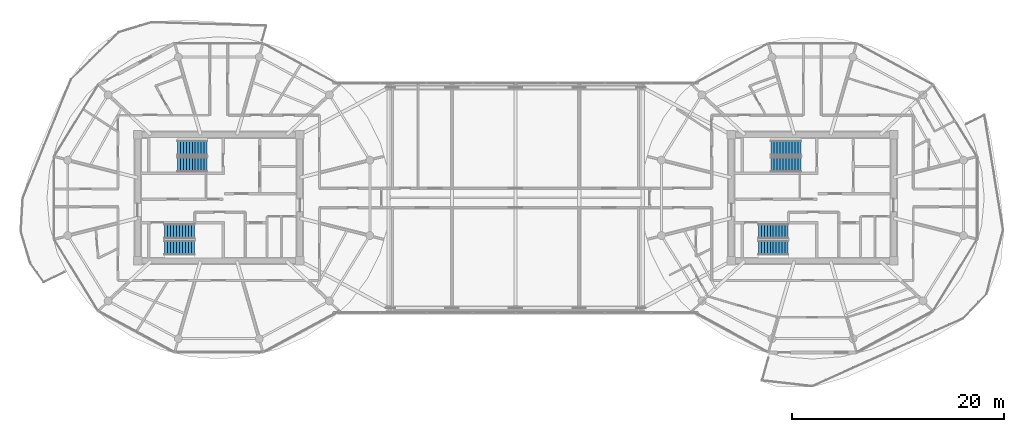
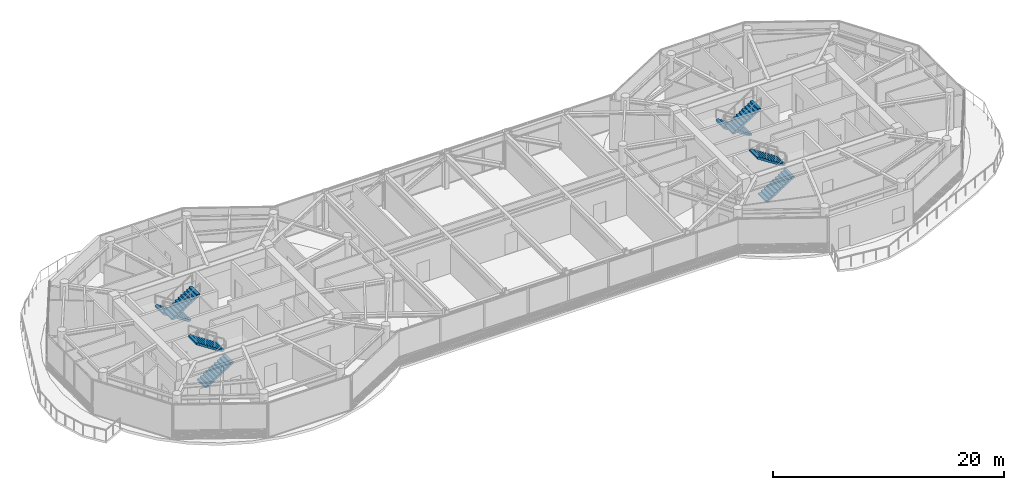
# One storey, part 20 of 24: 8 stair flights, 4 elements without a shape of their own.
"""IFC4 building model written with IfcOpenShell, lengths in metres."""

from ifc_helpers import new_model, si_unit, direction, frame, origin, place, context, subcontext, project, spatial, polyline, outline, extrude, material, type_object, element, aggregate, save


model = new_model("IFC4")

# Units and contexts
model_context = context("Model", 3, precision=1e-05, world=origin(), true_north=direction((0.0, 1.0)))
body_context = subcontext(model_context, "Body", "Model", "MODEL_VIEW")
ifc_project = project(units=[si_unit("LENGTHUNIT", "METRE"), si_unit("AREAUNIT", "SQUARE_METRE"), si_unit("VOLUMEUNIT", "CUBIC_METRE"), si_unit("PLANEANGLEUNIT", "RADIAN"), si_unit("MASSUNIT", "GRAM", prefix="KILO")], contexts=[model_context])

# Site, building, storey
site_placement = place(None, origin())
site = spatial("IfcSite", under=ifc_project, at=site_placement, CompositionType="ELEMENT")
building_placement = place(site_placement, origin())
building = spatial("IfcBuilding", under=site, at=building_placement, Name="Norrkilde Senior Care Towers", CompositionType="ELEMENT")
storey_placement = place(building_placement, frame((0.0, 0.0, 203.800048828125)))
storey = spatial("IfcBuildingStorey", under=building, at=storey_placement, Name="L63", CompositionType="ELEMENT", Elevation=203.800048828125)

# Stair, stair flights
ifc_material = material(Name="Concrete C45/55", Category="concrete")
stair_type = type_object("IfcStairType", Name="Core Protected Dogleg Stair Bridge 4000", PredefinedType="HALF_TURN_STAIR", material=ifc_material)
stair_1_placement = place(storey_placement, origin())
stair_1 = element("IfcStair", 1, at=stair_1_placement, inside=storey, type_object=stair_type, Name="L63 Protected Core Stair W1", PredefinedType="HALF_TURN_STAIR")
stair_flight_type = type_object("IfcStairFlightType", Name="Core Protected Dogleg Stair Bridge 4000 Flight", PredefinedType="STRAIGHT", material=ifc_material)
stair_flight_1_placement = place(storey_placement, frame((-29.10009765625, 4.699951171875, 0.0), z_axis=(0.0, 0.0, 1.0), x_axis=(-1.0, 0.0, 0.0)))
stair_flight_1 = element("IfcStairFlight", 2, at=stair_flight_1_placement, type_object=stair_flight_type, Name="ST-W1 flight 1", NumberOfRisers=11, NumberOfTreads=10, PredefinedType="STRAIGHT", RiserHeight=0.181818182, TreadLength=0.28, context=body_context, shape_type="SweptSolid", body=[
    extrude(outline(polyline([(0.0, 0.0), (0.0, 0.181884765625), (0.280029296875, 0.181884765625), (0.280029296875, 0.363525390625), (0.56005859375, 0.363525390625), (0.56005859375, 0.54541015625), (0.840087890625, 0.54541015625), (0.840087890625, 0.727294921875), (1.1201171875, 0.727294921875), (1.1201171875, 0.9091796875), (1.39990234375, 0.9091796875), (1.39990234375, 1.0908203125), (1.679931640625, 1.0908203125), (1.679931640625, 1.272705078125), (1.9599609375, 1.272705078125), (1.9599609375, 1.45458984375), (2.239990234375, 1.45458984375), (2.239990234375, 1.636474609375), (2.52001953125, 1.636474609375), (2.52001953125, 1.818115234375), (2.800048828125, 1.818115234375), (2.800048828125, 2.0), (2.800048828125, 1.639404296875), (0.275146484375, 0.0), (0.0, 0.0)])), frame((0.0, 0.699951171875, 0.0), z_axis=(0.0, -1.0, 0.0), x_axis=(1.0, 0.0, 0.0)), (0.0, 0.0, 1.0), 1.39990234375),
])
stair_flight_2_placement = place(storey_placement, frame((-31.89990234375, 3.14990234375, 2.0), z_axis=(0.0, 0.0, 1.0), x_axis=(1.0, 0.0, 0.0)))
stair_flight_2 = element("IfcStairFlight", 3, at=stair_flight_2_placement, type_object=stair_flight_type, Name="ST-W1 flight 2", NumberOfRisers=11, NumberOfTreads=10, PredefinedType="STRAIGHT", RiserHeight=0.181818182, TreadLength=0.28, context=body_context, shape_type="SweptSolid", body=[
    extrude(outline(polyline([(0.0, 0.0), (0.0, 0.181884765625), (0.280029296875, 0.181884765625), (0.280029296875, 0.363525390625), (0.56005859375, 0.363525390625), (0.56005859375, 0.54541015625), (0.840087890625, 0.54541015625), (0.840087890625, 0.727294921875), (1.1201171875, 0.727294921875), (1.1201171875, 0.9091796875), (1.39990234375, 0.9091796875), (1.39990234375, 1.0908203125), (1.679931640625, 1.0908203125), (1.679931640625, 1.272705078125), (1.9599609375, 1.272705078125), (1.9599609375, 1.45458984375), (2.239990234375, 1.45458984375), (2.239990234375, 1.636474609375), (2.52001953125, 1.636474609375), (2.52001953125, 1.818115234375), (2.800048828125, 1.818115234375), (2.800048828125, 2.0), (2.800048828125, 1.639404296875), (0.275146484375, 0.0), (0.0, 0.0)])), frame((0.0, 0.699951171875, 0.0), z_axis=(0.0, -1.0, 0.0), x_axis=(1.0, 0.0, 0.0)), (0.0, 0.0, 1.0), 1.39990234375),
])
aggregate(stair_1, [stair_flight_1, stair_flight_2])

stair_2_placement = place(storey_placement, origin())
stair_2 = element("IfcStair", 4, at=stair_2_placement, inside=storey, type_object=stair_type, Name="L63 Protected Core Stair W2", PredefinedType="HALF_TURN_STAIR")
stair_flight_3_placement = place(storey_placement, frame((-33.10009765625, -4.699951171875, 0.0), z_axis=(0.0, 0.0, 1.0), x_axis=(1.0, 0.0, 0.0)))
stair_flight_3 = element("IfcStairFlight", 5, at=stair_flight_3_placement, type_object=stair_flight_type, Name="ST-W2 flight 1", NumberOfRisers=11, NumberOfTreads=10, PredefinedType="STRAIGHT", RiserHeight=0.181818182, TreadLength=0.28, context=body_context, shape_type="SweptSolid", body=[
    extrude(outline(polyline([(0.0, 0.0), (0.0, 0.181884765625), (0.280029296875, 0.181884765625), (0.280029296875, 0.363525390625), (0.56005859375, 0.363525390625), (0.56005859375, 0.54541015625), (0.840087890625, 0.54541015625), (0.840087890625, 0.727294921875), (1.1201171875, 0.727294921875), (1.1201171875, 0.9091796875), (1.39990234375, 0.9091796875), (1.39990234375, 1.0908203125), (1.679931640625, 1.0908203125), (1.679931640625, 1.272705078125), (1.9599609375, 1.272705078125), (1.9599609375, 1.45458984375), (2.239990234375, 1.45458984375), (2.239990234375, 1.636474609375), (2.52001953125, 1.636474609375), (2.52001953125, 1.818115234375), (2.800048828125, 1.818115234375), (2.800048828125, 2.0), (2.800048828125, 1.639404296875), (0.275146484375, 0.0), (0.0, 0.0)])), frame((0.0, 0.699951171875, 0.0), z_axis=(0.0, -1.0, 0.0), x_axis=(1.0, 0.0, 0.0)), (0.0, 0.0, 1.0), 1.39990234375),
])
stair_flight_4_placement = place(storey_placement, frame((-30.300048828125, -3.14990234375, 2.0), z_axis=(0.0, 0.0, 1.0), x_axis=(-1.0, 0.0, 0.0)))
stair_flight_4 = element("IfcStairFlight", 6, at=stair_flight_4_placement, type_object=stair_flight_type, Name="ST-W2 flight 2", NumberOfRisers=11, NumberOfTreads=10, PredefinedType="STRAIGHT", RiserHeight=0.181818182, TreadLength=0.28, context=body_context, shape_type="SweptSolid", body=[
    extrude(outline(polyline([(0.0, 0.0), (0.0, 0.181884765625), (0.280029296875, 0.181884765625), (0.280029296875, 0.363525390625), (0.56005859375, 0.363525390625), (0.56005859375, 0.54541015625), (0.840087890625, 0.54541015625), (0.840087890625, 0.727294921875), (1.1201171875, 0.727294921875), (1.1201171875, 0.9091796875), (1.39990234375, 0.9091796875), (1.39990234375, 1.0908203125), (1.679931640625, 1.0908203125), (1.679931640625, 1.272705078125), (1.9599609375, 1.272705078125), (1.9599609375, 1.45458984375), (2.239990234375, 1.45458984375), (2.239990234375, 1.636474609375), (2.52001953125, 1.636474609375), (2.52001953125, 1.818115234375), (2.800048828125, 1.818115234375), (2.800048828125, 2.0), (2.800048828125, 1.639404296875), (0.275146484375, 0.0), (0.0, 0.0)])), frame((0.0, 0.699951171875, 0.0), z_axis=(0.0, -1.0, 0.0), x_axis=(1.0, 0.0, 0.0)), (0.0, 0.0, 1.0), 1.39990234375),
])
aggregate(stair_2, [stair_flight_3, stair_flight_4])

stair_3_placement = place(storey_placement, origin())
stair_3 = element("IfcStair", 7, at=stair_3_placement, inside=storey, type_object=stair_type, Name="L63 Protected Core Stair E1", PredefinedType="HALF_TURN_STAIR")
stair_flight_5_placement = place(storey_placement, frame((26.89990234375, 4.699951171875, 0.0), z_axis=(0.0, 0.0, 1.0), x_axis=(-1.0, 0.0, 0.0)))
stair_flight_5 = element("IfcStairFlight", 8, at=stair_flight_5_placement, type_object=stair_flight_type, Name="ST-E1 flight 1", NumberOfRisers=11, NumberOfTreads=10, PredefinedType="STRAIGHT", RiserHeight=0.181818182, TreadLength=0.28, context=body_context, shape_type="SweptSolid", body=[
    extrude(outline(polyline([(0.0, 0.0), (0.0, 0.181884765625), (0.280029296875, 0.181884765625), (0.280029296875, 0.363525390625), (0.56005859375, 0.363525390625), (0.56005859375, 0.54541015625), (0.840087890625, 0.54541015625), (0.840087890625, 0.727294921875), (1.1201171875, 0.727294921875), (1.1201171875, 0.9091796875), (1.39990234375, 0.9091796875), (1.39990234375, 1.0908203125), (1.679931640625, 1.0908203125), (1.679931640625, 1.272705078125), (1.9599609375, 1.272705078125), (1.9599609375, 1.45458984375), (2.239990234375, 1.45458984375), (2.239990234375, 1.636474609375), (2.52001953125, 1.636474609375), (2.52001953125, 1.818115234375), (2.800048828125, 1.818115234375), (2.800048828125, 2.0), (2.800048828125, 1.639404296875), (0.275146484375, 0.0), (0.0, 0.0)])), frame((0.0, 0.699951171875, 0.0), z_axis=(0.0, -1.0, 0.0), x_axis=(1.0, 0.0, 0.0)), (0.0, 0.0, 1.0), 1.39990234375),
])
stair_flight_6_placement = place(storey_placement, frame((24.10009765625, 3.14990234375, 2.0), z_axis=(0.0, 0.0, 1.0), x_axis=(1.0, 0.0, 0.0)))
stair_flight_6 = element("IfcStairFlight", 9, at=stair_flight_6_placement, type_object=stair_flight_type, Name="ST-E1 flight 2", NumberOfRisers=11, NumberOfTreads=10, PredefinedType="STRAIGHT", RiserHeight=0.181818182, TreadLength=0.28, context=body_context, shape_type="SweptSolid", body=[
    extrude(outline(polyline([(0.0, 0.0), (0.0, 0.181884765625), (0.280029296875, 0.181884765625), (0.280029296875, 0.363525390625), (0.56005859375, 0.363525390625), (0.56005859375, 0.54541015625), (0.840087890625, 0.54541015625), (0.840087890625, 0.727294921875), (1.1201171875, 0.727294921875), (1.1201171875, 0.9091796875), (1.39990234375, 0.9091796875), (1.39990234375, 1.0908203125), (1.679931640625, 1.0908203125), (1.679931640625, 1.272705078125), (1.9599609375, 1.272705078125), (1.9599609375, 1.45458984375), (2.239990234375, 1.45458984375), (2.239990234375, 1.636474609375), (2.52001953125, 1.636474609375), (2.52001953125, 1.818115234375), (2.800048828125, 1.818115234375), (2.800048828125, 2.0), (2.800048828125, 1.639404296875), (0.275146484375, 0.0), (0.0, 0.0)])), frame((0.0, 0.699951171875, 0.0), z_axis=(0.0, -1.0, 0.0), x_axis=(1.0, 0.0, 0.0)), (0.0, 0.0, 1.0), 1.39990234375),
])
aggregate(stair_3, [stair_flight_5, stair_flight_6])

stair_4_placement = place(storey_placement, origin())
stair_4 = element("IfcStair", 10, at=stair_4_placement, inside=storey, type_object=stair_type, Name="L63 Protected Core Stair E2", PredefinedType="HALF_TURN_STAIR")
stair_flight_7_placement = place(storey_placement, frame((22.89990234375, -4.699951171875, 0.0), z_axis=(0.0, 0.0, 1.0), x_axis=(1.0, 0.0, 0.0)))
stair_flight_7 = element("IfcStairFlight", 11, at=stair_flight_7_placement, type_object=stair_flight_type, Name="ST-E2 flight 1", NumberOfRisers=11, NumberOfTreads=10, PredefinedType="STRAIGHT", RiserHeight=0.181818182, TreadLength=0.28, context=body_context, shape_type="SweptSolid", body=[
    extrude(outline(polyline([(0.0, 0.0), (0.0, 0.181884765625), (0.280029296875, 0.181884765625), (0.280029296875, 0.363525390625), (0.56005859375, 0.363525390625), (0.56005859375, 0.54541015625), (0.840087890625, 0.54541015625), (0.840087890625, 0.727294921875), (1.1201171875, 0.727294921875), (1.1201171875, 0.9091796875), (1.39990234375, 0.9091796875), (1.39990234375, 1.0908203125), (1.679931640625, 1.0908203125), (1.679931640625, 1.272705078125), (1.9599609375, 1.272705078125), (1.9599609375, 1.45458984375), (2.239990234375, 1.45458984375), (2.239990234375, 1.636474609375), (2.52001953125, 1.636474609375), (2.52001953125, 1.818115234375), (2.800048828125, 1.818115234375), (2.800048828125, 2.0), (2.800048828125, 1.639404296875), (0.275146484375, 0.0), (0.0, 0.0)])), frame((0.0, 0.699951171875, 0.0), z_axis=(0.0, -1.0, 0.0), x_axis=(1.0, 0.0, 0.0)), (0.0, 0.0, 1.0), 1.39990234375),
])
stair_flight_8_placement = place(storey_placement, frame((25.699951171875, -3.14990234375, 2.0), z_axis=(0.0, 0.0, 1.0), x_axis=(-1.0, 0.0, 0.0)))
stair_flight_8 = element("IfcStairFlight", 12, at=stair_flight_8_placement, type_object=stair_flight_type, Name="ST-E2 flight 2", NumberOfRisers=11, NumberOfTreads=10, PredefinedType="STRAIGHT", RiserHeight=0.181818182, TreadLength=0.28, context=body_context, shape_type="SweptSolid", body=[
    extrude(outline(polyline([(0.0, 0.0), (0.0, 0.181884765625), (0.280029296875, 0.181884765625), (0.280029296875, 0.363525390625), (0.56005859375, 0.363525390625), (0.56005859375, 0.54541015625), (0.840087890625, 0.54541015625), (0.840087890625, 0.727294921875), (1.1201171875, 0.727294921875), (1.1201171875, 0.9091796875), (1.39990234375, 0.9091796875), (1.39990234375, 1.0908203125), (1.679931640625, 1.0908203125), (1.679931640625, 1.272705078125), (1.9599609375, 1.272705078125), (1.9599609375, 1.45458984375), (2.239990234375, 1.45458984375), (2.239990234375, 1.636474609375), (2.52001953125, 1.636474609375), (2.52001953125, 1.818115234375), (2.800048828125, 1.818115234375), (2.800048828125, 2.0), (2.800048828125, 1.639404296875), (0.275146484375, 0.0), (0.0, 0.0)])), frame((0.0, 0.699951171875, 0.0), z_axis=(0.0, -1.0, 0.0), x_axis=(1.0, 0.0, 0.0)), (0.0, 0.0, 1.0), 1.39990234375),
])
aggregate(stair_4, [stair_flight_7, stair_flight_8])

save(model, "model.ifc")
